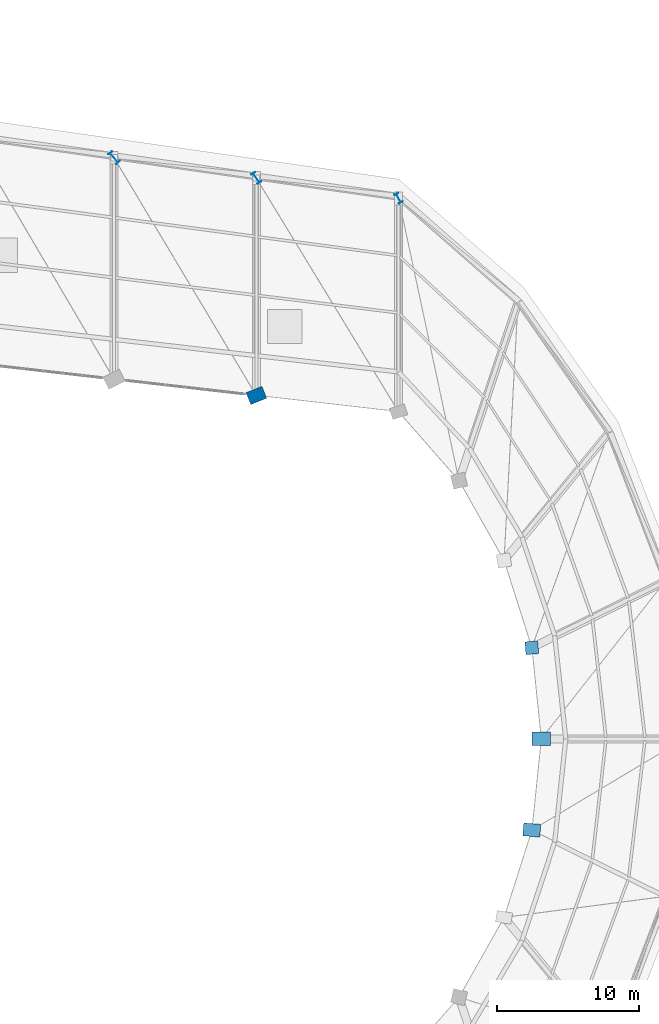
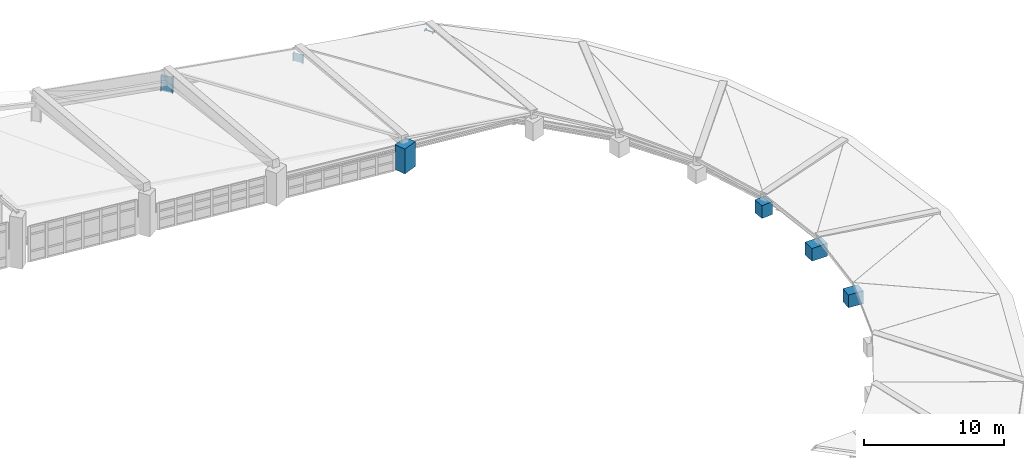
# One storey, part 10 of 67: 7 columns.
"""IFC4 building model written with IfcOpenShell, lengths in metres."""

from ifc_helpers import new_model, si_unit, direction, frame, origin, origin_2d, place, context, subcontext, project, spatial, rectangle, i_section, extrude, material, material_profile, profile_set, type_object, element, save


model = new_model("IFC4")

# Units and contexts
model_context = context("Model", 3, precision=1e-05, world=origin(), true_north=direction((0.0, 1.0)))
body_context = subcontext(model_context, "Body", "Model", "MODEL_VIEW")
ifc_project = project(units=[si_unit("LENGTHUNIT", "METRE"), si_unit("AREAUNIT", "SQUARE_METRE"), si_unit("VOLUMEUNIT", "CUBIC_METRE"), si_unit("PLANEANGLEUNIT", "RADIAN"), si_unit("MASSUNIT", "GRAM", prefix="KILO")], contexts=[model_context])

# Site, building, storey
site_placement = place(None, origin())
site = spatial("IfcSite", under=ifc_project, at=site_placement, CompositionType="ELEMENT")
building_placement = place(site_placement, origin())
building = spatial("IfcBuilding", under=site, at=building_placement, Name="Sohan Crest Arena", CompositionType="ELEMENT")
storey_placement = place(building_placement, frame((0.0, 0.0, 22.5)))
storey = spatial("IfcBuildingStorey", under=building, at=storey_placement, Name="L05", CompositionType="ELEMENT", Elevation=22.5)

# Columns
ifc_material_1 = material(Name="Concrete C40/50", Category="concrete")
ifc_material_profile_1 = material_profile(ifc_material_1, rectangle(XDim=0.89990234375, YDim=0.89990234375, at=origin_2d()), Name="RC 900x900")
ifc_profile_set_1 = profile_set([ifc_material_profile_1], Name="Concrete C40/50")
column_type_1 = type_object("IfcColumnType", Name="STR-COL-C07", PredefinedType="COLUMN", material=ifc_profile_set_1)
column_1_placement = place(storey_placement, frame((177.363037109375, 84.406982421875, 0.0), z_axis=(0.0, 0.0, 1.0), x_axis=(0.996778878456, 0.080198924329, 0.0)))
element("IfcColumn", 1, at=column_1_placement, inside=storey, type_object=column_type_1, Name="Structural column COL-V1R-25-L05", PredefinedType="COLUMN", context=body_context, shape_type="SweptSolid", body=[
    extrude(rectangle(XDim=0.89990234375, YDim=0.89990234375, at=origin_2d()), origin(), (0.0, 0.0, 1.0), 1.114013671875),
])
ifc_material_profile_2 = material_profile(ifc_material_1, rectangle(XDim=1.199951171875, YDim=0.89990234375, at=origin_2d()), Name="RC 1200x900")
ifc_profile_set_2 = profile_set([ifc_material_profile_2], Name="Concrete C40/50")
column_type_2 = type_object("IfcColumnType", Name="STR-COL-C11", PredefinedType="COLUMN", material=ifc_profile_set_2)
column_2_placement = place(storey_placement, frame((177.363037109375, 71.593017578125, 0.0), z_axis=(0.0, 0.0, 1.0), x_axis=(-0.996778878456, 0.080198924329, 0.0)))
element("IfcColumn", 2, at=column_2_placement, inside=storey, type_object=column_type_2, Name="Structural column COL-V1R-23-L05", PredefinedType="COLUMN", context=body_context, shape_type="SweptSolid", body=[
    extrude(rectangle(XDim=1.199951171875, YDim=0.89990234375, at=origin_2d()), origin(), (0.0, 0.0, 1.0), 1.114013671875),
])
column_3_placement = place(storey_placement, frame((158.0, 102.14306640625, 0.0), z_axis=(0.0, 0.0, 1.0), x_axis=(0.927836253899, 0.372987782576, 0.0)))
element("IfcColumn", 3, at=column_3_placement, inside=storey, type_object=column_type_2, Name="Structural column COL-V1R-29-L05", PredefinedType="COLUMN", context=body_context, shape_type="SweptSolid", body=[
    extrude(rectangle(XDim=1.199951171875, YDim=0.89990234375, at=origin_2d()), origin(), (0.0, 0.0, 1.0), 2.16796875),
])
ifc_material_profile_3 = material_profile(ifc_material_1, rectangle(XDim=1.300048828125, YDim=0.949951171875, at=origin_2d()), Name="RC 1300x950")
ifc_profile_set_3 = profile_set([ifc_material_profile_3], Name="Concrete C40/50")
column_type_3 = type_object("IfcColumnType", Name="STR-COL-C12", PredefinedType="COLUMN", material=ifc_profile_set_3)
column_4_placement = place(storey_placement, frame((178.02294921875, 78.0, 0.0), z_axis=(0.0, 0.0, 1.0), x_axis=(1.0, 0.0, 0.0)))
element("IfcColumn", 4, at=column_4_placement, inside=storey, type_object=column_type_3, Name="Structural column COL-V1R-24-L05", PredefinedType="COLUMN", context=body_context, shape_type="SweptSolid", body=[
    extrude(rectangle(XDim=1.300048828125, YDim=0.949951171875, at=origin_2d()), origin(), (0.0, 0.0, 1.0), 1.10009765625),
])
ifc_material_2 = material(Name="Steel S355", Category="steel")
ifc_material_profile_4 = material_profile(ifc_material_2, i_section(OverallWidth=0.300048828125, OverallDepth=0.699951171875, WebThickness=0.01708984375, FlangeThickness=0.031982421875, at=origin_2d()), Name="HEB 700")
ifc_profile_set_4 = profile_set([ifc_material_profile_4], Name="Steel S355")
column_type_4 = type_object("IfcColumnType", Name="STR-COL-C21", PredefinedType="COLUMN", material=ifc_profile_set_4)
column_5_placement = place(storey_placement, frame((168.0, 116.0, 0.0), z_axis=(0.0, 0.0, 1.0), x_axis=(0.878817112662, 0.47715876026, 0.0)))
element("IfcColumn", 5, at=column_5_placement, inside=storey, type_object=column_type_4, Name="Structural column COL-V2O-28-L05", PredefinedType="COLUMN", context=body_context, shape_type="SweptSolid", body=[
    extrude(i_section(OverallWidth=0.300048828125, OverallDepth=0.699951171875, WebThickness=0.01708984375, FlangeThickness=0.031982421875, at=origin_2d()), origin(), (0.0, 0.0, 1.0), 0.09912109375),
])
ifc_material_profile_5 = material_profile(ifc_material_2, i_section(OverallWidth=0.300048828125, OverallDepth=0.800048828125, WebThickness=0.017578125, FlangeThickness=0.032958984375, at=origin_2d()), Name="HEB 800")
ifc_profile_set_5 = profile_set([ifc_material_profile_5], Name="Steel S355")
column_type_5 = type_object("IfcColumnType", Name="STR-COL-C22", PredefinedType="COLUMN", material=ifc_profile_set_5)
column_6_placement = place(storey_placement, frame((158.0, 117.428955078125, 0.0), z_axis=(0.0, 0.0, 1.0), x_axis=(0.835807361368, 0.549022817998, 0.0)))
element("IfcColumn", 6, at=column_6_placement, inside=storey, type_object=column_type_5, Name="Structural column COL-V2O-29-L05", PredefinedType="COLUMN", context=body_context, shape_type="SweptSolid", body=[
    extrude(i_section(OverallWidth=0.300048828125, OverallDepth=0.800048828125, WebThickness=0.017578125, FlangeThickness=0.032958984375, at=origin_2d()), origin(), (0.0, 0.0, 1.0), 0.718017578125),
])
ifc_material_profile_6 = material_profile(ifc_material_2, i_section(OverallWidth=0.300048828125, OverallDepth=0.89990234375, WebThickness=0.0185546875, FlangeThickness=0.034912109375, at=origin_2d()), Name="HEB 900")
ifc_profile_set_6 = profile_set([ifc_material_profile_6], Name="Steel S355")
column_type_6 = type_object("IfcColumnType", Name="STR-COL-C23", PredefinedType="COLUMN", material=ifc_profile_set_6)
column_7_placement = place(storey_placement, frame((148.0, 118.85693359375, 0.0), z_axis=(0.0, 0.0, 1.0), x_axis=(0.773840209727, 0.633380872628, 0.0)))
element("IfcColumn", 7, at=column_7_placement, inside=storey, type_object=column_type_6, Name="Structural column COL-V2O-30-L05", PredefinedType="COLUMN", context=body_context, shape_type="SweptSolid", body=[
    extrude(i_section(OverallWidth=0.300048828125, OverallDepth=0.89990234375, WebThickness=0.0185546875, FlangeThickness=0.034912109375, at=origin_2d()), origin(), (0.0, 0.0, 1.0), 1.423095703125),
])

save(model, "model.ifc")
